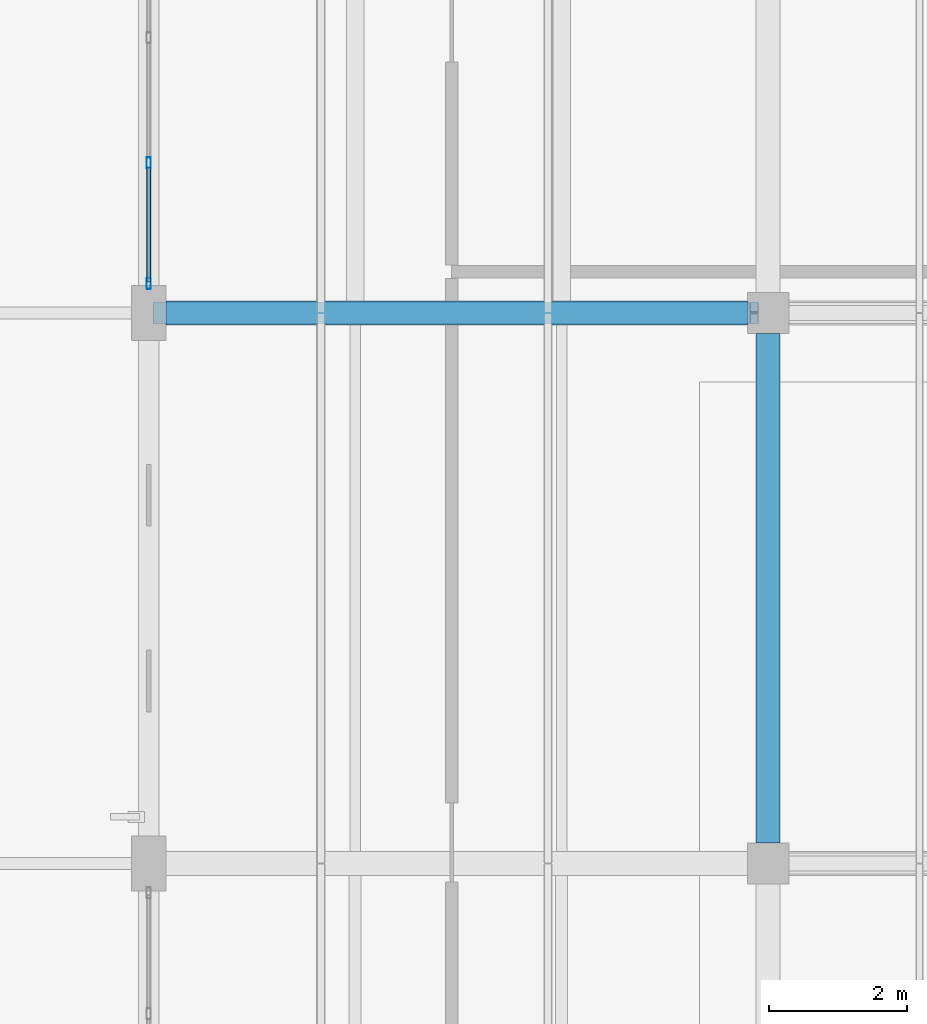
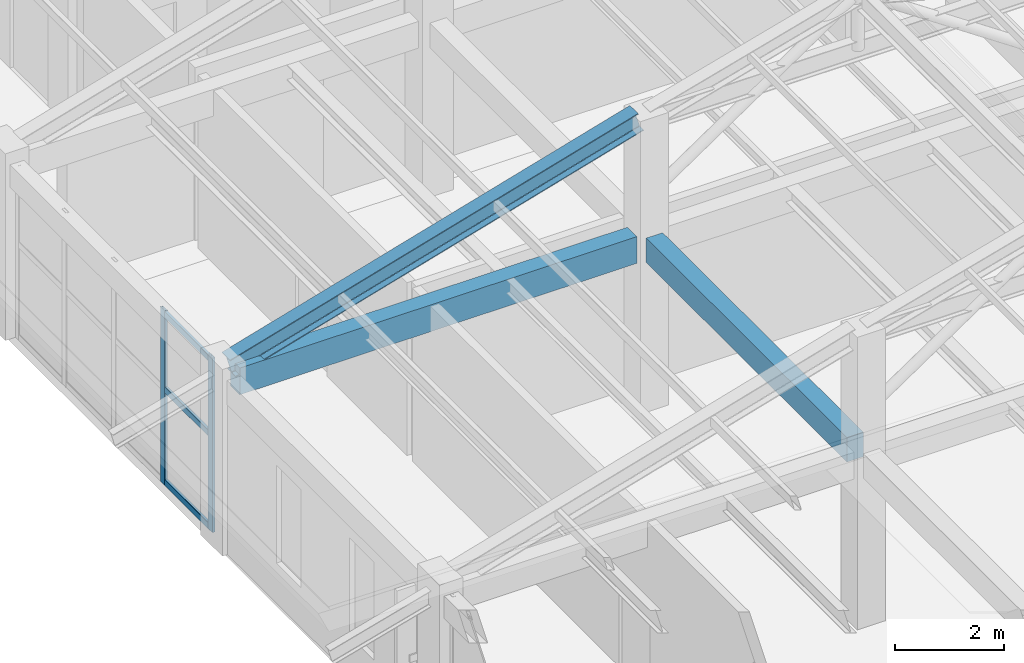
# One storey, part 14 of 58: 5 members, 3 beams, 1 element without a shape of its own.
"""IFC4 building model written with IfcOpenShell, lengths in metres."""

from ifc_helpers import new_model, si_unit, derived_unit, direction, frame, origin, origin_2d, place, context, subcontext, project, spatial, rectangle, hollow_rectangle, i_section, extrude, material, material_profile, profile_set, type_object, element, aggregate, save


model = new_model("IFC4")

# Units and contexts
model_context = context("Model", 3, precision=1e-05, world=origin(), true_north=direction((0.0, 1.0)))
body_context = subcontext(model_context, "Body", "Model", "MODEL_VIEW")
ifc_project = project(units=[si_unit("LENGTHUNIT", "METRE"), si_unit("AREAUNIT", "SQUARE_METRE"), si_unit("VOLUMEUNIT", "CUBIC_METRE"), si_unit("PLANEANGLEUNIT", "RADIAN"), si_unit("MASSUNIT", "GRAM", prefix="KILO"), derived_unit("THERMALTRANSMITTANCEUNIT", [(si_unit("MASSUNIT", "GRAM", prefix="KILO"), 1), (si_unit("TIMEUNIT", "SECOND"), -3), (si_unit("THERMODYNAMICTEMPERATUREUNIT", "KELVIN"), -1)])], contexts=[model_context])

# Site, building, storey
site_placement = place(None, origin())
site = spatial("IfcSite", under=ifc_project, at=site_placement, CompositionType="ELEMENT")
building_placement = place(site_placement, origin())
building = spatial("IfcBuilding", under=site, at=building_placement, Name="Zhenchuan Archway Interchange", CompositionType="ELEMENT")
storey_placement = place(building_placement, frame((0.0, 0.0, 22.800048828125)))
storey = spatial("IfcBuildingStorey", under=building, at=storey_placement, Name="L05", CompositionType="ELEMENT", Elevation=22.800048828125)

# Beams
ifc_material_1 = material(Name="Concrete C40", Category="concrete")
ifc_material_profile_1 = material_profile(ifc_material_1, rectangle(XDim=0.35009765625, YDim=0.550048828125, at=origin_2d()), Name="RC 350x550")
ifc_profile_set_1 = profile_set([ifc_material_profile_1], Name="Concrete C40")
beam_type_1 = type_object("IfcBeamType", Name="BM_RC_350x550", PredefinedType="BEAM", material=ifc_profile_set_1)
beam_1_placement = place(storey_placement, frame((153.0, 32.300048828125, 3.64501953125), z_axis=(0.0, 1.0, 0.0), x_axis=(-1.0, 0.0, 0.0)))
element("IfcBeam", 1, at=beam_1_placement, inside=storey, type_object=beam_type_1, Name="Beam 18:E-F (L05)", PredefinedType="BEAM", context=body_context, shape_type="SweptSolid", body=[
    extrude(rectangle(XDim=0.35009765625, YDim=0.550048828125, at=origin_2d()), origin(), (0.0, 0.0, 1.0), 7.39990234375),
])
ifc_material_profile_2 = material_profile(ifc_material_1, rectangle(XDim=0.35009765625, YDim=0.60009765625, at=origin_2d()), Name="RC 350x600")
ifc_profile_set_2 = profile_set([ifc_material_profile_2], Name="Concrete C40")
beam_type_2 = type_object("IfcBeamType", Name="BM_RC_350x600", PredefinedType="BEAM", material=ifc_profile_set_2)
beam_2_placement = place(storey_placement, frame((144.25, 40.0, 3.619873046875), z_axis=(1.0, 0.0, 0.0), x_axis=(0.0, 1.0, 0.0)))
element("IfcBeam", 2, at=beam_2_placement, inside=storey, type_object=beam_type_2, Name="Beam F:17-18 (L05)", PredefinedType="BEAM", context=body_context, shape_type="SweptSolid", body=[
    extrude(rectangle(XDim=0.35009765625, YDim=0.60009765625, at=origin_2d()), origin(), (0.0, 0.0, 1.0), 8.449951171875),
])
ifc_material_2 = material(Name="Steel Q355", Category="steel")
ifc_material_profile_3 = material_profile(ifc_material_2, i_section(OverallWidth=0.300048828125, OverallDepth=0.43994140625, WebThickness=0.010986328125, FlangeThickness=0.01806640625, FilletRadius=0.02197265625, at=origin_2d()), Name="HM 440x300")
ifc_profile_set_3 = profile_set([ifc_material_profile_3], Name="Steel Q355")
beam_type_3 = type_object("IfcBeamType", Name="BM_STL_HM440", PredefinedType="BEAM", material=ifc_profile_set_3)
beam_3_placement = place(storey_placement, frame((144.1201171875, 40.0, 3.93994140625), z_axis=(0.960641143949, 0.0, 0.277792355102), x_axis=(0.0, 1.0, 0.0)))
element("IfcBeam", 3, at=beam_3_placement, inside=storey, type_object=beam_type_3, Name="ROOF TRUSS command wing T3 west lower rafter", PredefinedType="BEAM", context=body_context, shape_type="SweptSolid", body=[
    extrude(i_section(OverallWidth=0.300048828125, OverallDepth=0.43994140625, WebThickness=0.010986328125, FlangeThickness=0.01806640625, FilletRadius=0.02197265625, at=origin_2d()), origin(), (0.0, 0.0, 1.0), 9.03564453125),
])

# Curtain wall, members
ifc_material_3 = material(Name="Anodised Aluminium", Category="aluminium")
curtain_wall_type = type_object("IfcCurtainWallType", Name="CW_UNIT_3", PredefinedType="NOTDEFINED", material=ifc_material_3)
curtain_wall_placement = place(storey_placement, origin())
curtain_wall = element("IfcCurtainWall", 4, at=curtain_wall_placement, inside=storey, type_object=curtain_wall_type, Name="Unitised curtain wall CW:L05:202", PredefinedType="NOTDEFINED")
ifc_material_profile_4 = material_profile(ifc_material_3, hollow_rectangle(XDim=0.06005859375, YDim=0.159912109375, WallThickness=0.00390625, InnerFilletRadius=0.00390625, OuterFilletRadius=0.008056640625, at=origin_2d()), Name="ALU 160x60x4")
ifc_profile_set_4 = profile_set([ifc_material_profile_4], Name="Anodised Aluminium")
member_type_1 = type_object("IfcMemberType", Name="CW_MUL_150", PredefinedType="MULLION", material=ifc_profile_set_4)
member_1_placement = place(storey_placement, frame((144.0, 40.427978515625, 0.0), z_axis=(0.0, 0.0, 1.0), x_axis=(1.0, 0.0, 0.0)))
member_1 = element("IfcMember", 5, at=member_1_placement, type_object=member_type_1, Name="CW:L05:202 mullion 0", PredefinedType="MULLION", context=body_context, shape_type="SweptSolid", body=[
    extrude(hollow_rectangle(XDim=0.06005859375, YDim=0.159912109375, WallThickness=0.00390625, InnerFilletRadius=0.00390625, OuterFilletRadius=0.008056640625, at=origin_2d()), origin(), (0.0, 0.0, 1.0), 3.919921875),
])
member_2_placement = place(storey_placement, frame((144.0, 42.18408203125, 0.0), z_axis=(0.0, 0.0, 1.0), x_axis=(1.0, 0.0, 0.0)))
member_2 = element("IfcMember", 6, at=member_2_placement, type_object=member_type_1, Name="CW:L05:202 mullion 1", PredefinedType="MULLION", context=body_context, shape_type="SweptSolid", body=[
    extrude(hollow_rectangle(XDim=0.06005859375, YDim=0.159912109375, WallThickness=0.00390625, InnerFilletRadius=0.00390625, OuterFilletRadius=0.008056640625, at=origin_2d()), origin(), (0.0, 0.0, 1.0), 3.919921875),
])
ifc_material_profile_5 = material_profile(ifc_material_3, hollow_rectangle(XDim=0.06005859375, YDim=0.139892578125, WallThickness=0.00341796875, InnerFilletRadius=0.00341796875, OuterFilletRadius=0.007080078125, at=origin_2d()), Name="ALU 140x60x3.5")
ifc_profile_set_5 = profile_set([ifc_material_profile_5], Name="Anodised Aluminium")
member_type_2 = type_object("IfcMemberType", Name="CW_TRN_140", PredefinedType="USERDEFINED", material=ifc_profile_set_5)
member_3_placement = place(storey_placement, frame((144.0, 40.447998046875, 0.06005859375), z_axis=(0.0, 1.0, 0.0), x_axis=(-1.0, 0.0, 0.0)))
member_3 = element("IfcMember", 7, at=member_3_placement, type_object=member_type_2, Name="CW:L05:202 transom 0-1", ObjectType="TRANSOM", PredefinedType="USERDEFINED", context=body_context, shape_type="SweptSolid", body=[
    extrude(hollow_rectangle(XDim=0.06005859375, YDim=0.139892578125, WallThickness=0.00341796875, InnerFilletRadius=0.00341796875, OuterFilletRadius=0.007080078125, at=origin_2d()), origin(), (0.0, 0.0, 1.0), 1.676025390625),
])
member_4_placement = place(storey_placement, frame((144.0, 40.447998046875, 2.14501953125), z_axis=(0.0, 1.0, 0.0), x_axis=(-1.0, 0.0, 0.0)))
member_4 = element("IfcMember", 8, at=member_4_placement, type_object=member_type_2, Name="CW:L05:202 transom 0-2", ObjectType="TRANSOM", PredefinedType="USERDEFINED", context=body_context, shape_type="SweptSolid", body=[
    extrude(hollow_rectangle(XDim=0.06005859375, YDim=0.139892578125, WallThickness=0.00341796875, InnerFilletRadius=0.00341796875, OuterFilletRadius=0.007080078125, at=origin_2d()), origin(), (0.0, 0.0, 1.0), 1.676025390625),
])
member_5_placement = place(storey_placement, frame((144.0, 40.447998046875, 3.83984375), z_axis=(0.0, 1.0, 0.0), x_axis=(-1.0, 0.0, 0.0)))
member_5 = element("IfcMember", 9, at=member_5_placement, type_object=member_type_2, Name="CW:L05:202 transom 0-3", ObjectType="TRANSOM", PredefinedType="USERDEFINED", context=body_context, shape_type="SweptSolid", body=[
    extrude(hollow_rectangle(XDim=0.06005859375, YDim=0.139892578125, WallThickness=0.00341796875, InnerFilletRadius=0.00341796875, OuterFilletRadius=0.007080078125, at=origin_2d()), origin(), (0.0, 0.0, 1.0), 1.676025390625),
])
aggregate(curtain_wall, [member_1, member_2, member_3, member_4, member_5])

save(model, "model.ifc")
